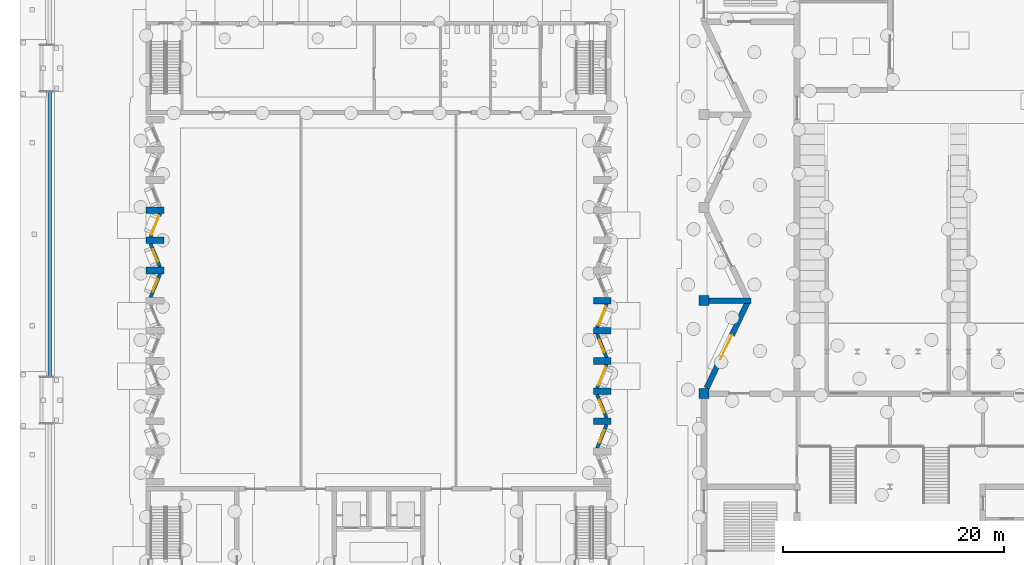
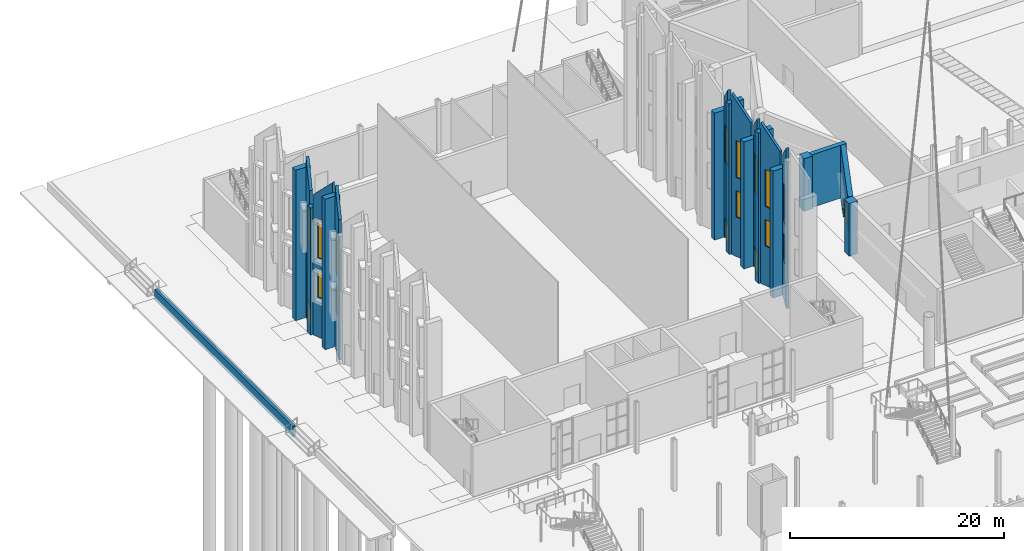
# One storey, part 63 of 108: 21 walls, 13 windows, 4 doors, 17 openings.
"""IFC4 building model written with IfcOpenShell, lengths in metres."""

from ifc_helpers import new_model, si_unit, direction, frame, frame_2d, origin, place, context, subcontext, project, spatial, polyline, rectangle, outline, extrude, material, layer, layer_set, type_object, element, fill, save


model = new_model("IFC4")

# Units and contexts
model_context = context("Model", 3, precision=1e-05, world=origin(), true_north=direction((0.0, 1.0)))
body_context = subcontext(model_context, "Body", "Model", "MODEL_VIEW")
ifc_project = project(units=[si_unit("LENGTHUNIT", "METRE"), si_unit("AREAUNIT", "SQUARE_METRE"), si_unit("VOLUMEUNIT", "CUBIC_METRE"), si_unit("PLANEANGLEUNIT", "RADIAN"), si_unit("MASSUNIT", "GRAM", prefix="KILO")], contexts=[model_context])

# Site, building, storey
site_placement = place(None, origin())
site = spatial("IfcSite", under=ifc_project, at=site_placement, CompositionType="ELEMENT")
building_placement = place(site_placement, origin())
building = spatial("IfcBuilding", under=site, at=building_placement, Name="Cresset Court Congress Hotel", CompositionType="ELEMENT")
storey_placement = place(building_placement, origin())
storey = spatial("IfcBuildingStorey", under=building, at=storey_placement, Name="L00", CompositionType="ELEMENT", Elevation=0.0)

# Wall, opening, door
ifc_material_1 = material(Name="Limestone-faced precast concrete C50", Category="masonry")
ifc_layer_1 = layer(ifc_material_1, 0.5)
ifc_layer_set_1 = layer_set([ifc_layer_1], Name="Hall perimeter wall 500")
wall_type_1 = type_object("IfcWallType", Name="Hall perimeter wall 500", PredefinedType="SOLIDWALL", material=ifc_layer_set_1)
wall_1_placement = place(storey_placement, frame((59.0380859375, 76.10009765625, 0.0), z_axis=(0.0, 0.0, 1.0), x_axis=(0.429945705131, 0.902854745039, 0.0)))
wall_1 = element("IfcWall", 1, at=wall_1_placement, inside=storey, type_object=wall_type_1, Name="Wall CW-WL00-4", PredefinedType="SOLIDWALL", context=body_context, shape_type="SweptSolid", body=[
    extrude(rectangle(XDim=8.59765625, YDim=0.5, at=frame_2d((4.298828125, 0.0))), origin(), (0.0, 0.0, 1.0), 6.0),
])
opening_1_placement = place(wall_1_placement, frame((2.898193359375, 0.0, 0.0)))
opening_1 = element("IfcOpeningElement", 2, at=opening_1_placement, cuts=wall_1, Name="Opening DC-00-30A", PredefinedType="OPENING", context=body_context, shape_type="SweptSolid", body=[
    extrude(rectangle(XDim=2.39990234375, YDim=2.10009765625, at=frame_2d((1.199951171875, 1.050048828125))), frame((0.0, 0.260009765625, 0.0), z_axis=(0.0, -1.0, 0.0), x_axis=(1.0, 0.0, 0.0)), (0.0, 0.0, 1.0), 0.52001953125),
])
ifc_material_2 = material(Name="Timber", Category="wood")
door_type_1 = type_object("IfcDoorType", Name="Double swing door 2400x2100 FD30 external", OperationType="DOUBLE_DOOR_DOUBLE_SWING", PredefinedType="DOOR", material=ifc_material_2)
door_1_placement = place(opening_1_placement, origin())
door_1 = element("IfcDoor", 3, at=door_1_placement, inside=storey, type_object=door_type_1, Name="Hall exit door W1", OperationType="DOUBLE_DOOR_DOUBLE_SWING", OverallHeight=2.10009765625, OverallWidth=2.39990234375, PredefinedType="DOOR", context=body_context, shape_type="SweptSolid", body=[
    extrude(rectangle(XDim=2.39990234375, YDim=2.10009765625, at=frame_2d((1.199951171875, 1.050048828125))), frame((0.0, 0.02490234375, 0.0), z_axis=(0.0, -1.0, 0.0), x_axis=(1.0, 0.0, 0.0)), (0.0, 0.0, 1.0), 0.050048828125),
])
fill(opening_1, door_1)

# Walls
wall_2_placement = place(storey_placement, frame((63.050048828125, 84.0, 0.0), z_axis=(0.0, 0.0, 1.0), x_axis=(-1.0, 0.0, 0.0)))
element("IfcWall", 4, at=wall_2_placement, inside=storey, type_object=wall_type_1, Name="Wall CW-WL00-R2", PredefinedType="SOLIDWALL", context=body_context, shape_type="SweptSolid", body=[
    extrude(rectangle(XDim=3.800048828125, YDim=0.5, at=frame_2d((1.89990234375, 0.0))), origin(), (0.0, 0.0, 1.0), 6.0),
])
ifc_material_3 = material(Name="Concrete C50", Category="concrete")
ifc_layer_2 = layer(ifc_material_3, 0.89990234375)
ifc_layer_set_2 = layer_set([ifc_layer_2], Name="Hall pilaster 900x900")
wall_type_2 = type_object("IfcWallType", Name="Hall pilaster 900x900", PredefinedType="SOLIDWALL", material=ifc_layer_set_2)
wall_3_placement = place(storey_placement, frame((58.800048828125, 84.449951171875, 0.0), z_axis=(0.0, 0.0, 1.0), x_axis=(0.0, -1.0, 0.0)))
element("IfcWall", 5, at=wall_3_placement, inside=storey, type_object=wall_type_2, Name="Pilaster P-W3", PredefinedType="SOLIDWALL", context=body_context, shape_type="SweptSolid", body=[
    extrude(rectangle(XDim=0.89990234375, YDim=0.89990234375, at=frame_2d((0.449951171875, 0.0))), origin(), (0.0, 0.0, 1.0), 6.0),
])
wall_4_placement = place(storey_placement, frame((58.800048828125, 76.050048828125, 0.0), z_axis=(0.0, 0.0, 1.0), x_axis=(0.0, -1.0, 0.0)))
element("IfcWall", 6, at=wall_4_placement, inside=storey, type_object=wall_type_2, Name="Pilaster P-W4", PredefinedType="SOLIDWALL", context=body_context, shape_type="SweptSolid", body=[
    extrude(rectangle(XDim=0.900146484375, YDim=0.89990234375, at=frame_2d((0.4501953125, 0.0))), origin(), (0.0, 0.0, 1.0), 6.0),
])
ifc_material_4 = material(Name="Concrete C35", Category="concrete")
ifc_layer_3 = layer(ifc_material_4, 0.300048828125)
ifc_layer_set_3 = layer_set([ifc_layer_3], Name="Plinth wall 300")
wall_type_3 = type_object("IfcWallType", Name="Plinth wall 300", PredefinedType="SOLIDWALL", material=ifc_layer_set_3)
wall_5_placement = place(storey_placement, frame((-0.300048828125, 77.10009765625, -1.199951171875), z_axis=(0.0, 0.0, 1.0), x_axis=(0.0, 1.0, 0.0)))
element("IfcWall", 7, at=wall_5_placement, inside=storey, type_object=wall_type_3, Name="S.wall.L00.PW02", PredefinedType="SOLIDWALL", context=body_context, shape_type="SweptSolid", body=[
    extrude(rectangle(XDim=25.7998046875, YDim=0.300048828125, at=frame_2d((12.89990234375, 0.0))), origin(), (0.0, 0.0, 1.0), 1.199951171875),
])

# Wall, openings, windows
ifc_material_5 = material(Name="Limestone-faced precast concrete C50", Category="masonry")
ifc_layer_4 = layer(ifc_material_5, 0.300048828125)
ifc_layer_set_4 = layer_set([ifc_layer_4], Name="Precast folded wall panel 300 C50")
wall_type_4 = type_object("IfcWallType", Name="Precast folded wall panel 300 C50", PredefinedType="SOLIDWALL", material=ifc_layer_set_4)
wall_6_placement = place(storey_placement, frame((8.800048828125, 84.300048828125, 0.0), z_axis=(0.0, 0.0, 1.0), x_axis=(0.37463916886, 0.927170692567, 0.0)))
wall_6 = element("IfcWall", 8, at=wall_6_placement, inside=storey, type_object=wall_type_4, Name="Folded wall panel W7", PredefinedType="SOLIDWALL", context=body_context, shape_type="SweptSolid", body=[
    extrude(outline(polyline([(0.0, 0.0), (2.2919921875, 0.0), (2.2919921875, 18.312255859375), (0.0, 15.972900390625), (0.0, 0.0)])), frame((0.0, 0.14990234375, 0.0), z_axis=(0.0, -1.0, 0.0), x_axis=(1.0, 0.0, 0.0)), (0.0, 0.0, 1.0), 0.300048828125),
])
opening_2_placement = place(wall_6_placement, frame((0.5458984375, 0.0, 4.5)))
opening_2 = element("IfcOpeningElement", 9, at=opening_2_placement, cuts=wall_6, Name="Opening ND-00-12", PredefinedType="OPENING", context=body_context, shape_type="SweptSolid", body=[
    extrude(rectangle(XDim=1.199951171875, YDim=3.0, at=frame_2d((0.60009765625, 1.5))), frame((0.0, 0.159912109375, 0.0), z_axis=(0.0, -1.0, 0.0), x_axis=(1.0, 0.0, 0.0)), (0.0, 0.0, 1.0), 0.320068359375),
])
opening_3_placement = place(wall_6_placement, frame((0.5458984375, 0.0, 9.0)))
opening_3 = element("IfcOpeningElement", 10, at=opening_3_placement, cuts=wall_6, Name="Opening ND-00-13", PredefinedType="OPENING", context=body_context, shape_type="SweptSolid", body=[
    extrude(rectangle(XDim=1.199951171875, YDim=4.199951171875, at=frame_2d((0.60009765625, 2.10009765625))), frame((0.0, 0.159912109375, 0.0), z_axis=(0.0, -1.0, 0.0), x_axis=(1.0, 0.0, 0.0)), (0.0, 0.0, 1.0), 0.320068359375),
])
ifc_material_6 = material(Name="Aluminium frame with double glazing", Category="aluminium")
window_type_1 = type_object("IfcWindowType", Name="Window 1200x3000", PartitioningType="TRIPLE_PANEL_VERTICAL", PredefinedType="WINDOW", material=ifc_material_6)
window_1_placement = place(opening_2_placement, origin())
window_1 = element("IfcWindow", 11, at=window_1_placement, inside=storey, type_object=window_type_1, Name="Window ND-00-12", OverallHeight=3.0, OverallWidth=1.199951171875, PartitioningType="TRIPLE_PANEL_VERTICAL", PredefinedType="WINDOW", context=body_context, shape_type="SweptSolid", body=[
    extrude(rectangle(XDim=1.199951171875, YDim=3.0, at=frame_2d((0.60009765625, 1.5))), frame((0.0, 0.030029296875, 0.0), z_axis=(0.0, -1.0, 0.0), x_axis=(1.0, 0.0, 0.0)), (0.0, 0.0, 1.0), 0.06005859375),
])
fill(opening_2, window_1)
ifc_material_7 = material(Name="Aluminium frame with double glazing", Category="aluminium")
window_type_2 = type_object("IfcWindowType", Name="Window 1200x4200", PartitioningType="TRIPLE_PANEL_VERTICAL", PredefinedType="WINDOW", material=ifc_material_7)
window_2_placement = place(opening_3_placement, origin())
window_2 = element("IfcWindow", 12, at=window_2_placement, inside=storey, type_object=window_type_2, Name="Window ND-00-13", OverallHeight=4.199951171875, OverallWidth=1.199951171875, PartitioningType="TRIPLE_PANEL_VERTICAL", PredefinedType="WINDOW", context=body_context, shape_type="SweptSolid", body=[
    extrude(rectangle(XDim=1.199951171875, YDim=4.199951171875, at=frame_2d((0.60009765625, 2.10009765625))), frame((0.0, 0.030029296875, 0.0), z_axis=(0.0, -1.0, 0.0), x_axis=(1.0, 0.0, 0.0)), (0.0, 0.0, 1.0), 0.06005859375),
])
fill(opening_3, window_2)

wall_7_placement = place(storey_placement, frame((9.65869140625, 87.02490234375, 0.0), z_axis=(0.0, 0.0, 1.0), x_axis=(-0.37463916886, 0.927170692567, 0.0)))
wall_7 = element("IfcWall", 13, at=wall_7_placement, inside=storey, type_object=wall_type_4, Name="Folded wall panel W8", PredefinedType="SOLIDWALL", context=body_context, shape_type="SweptSolid", body=[
    extrude(outline(polyline([(0.0, 0.0), (2.2919921875, 0.0), (2.2919921875, 15.972900390625), (0.0, 18.312255859375), (0.0, 0.0)])), frame((0.0, 0.14990234375, 0.0), z_axis=(0.0, -1.0, 0.0), x_axis=(1.0, 0.0, 0.0)), (0.0, 0.0, 1.0), 0.300048828125),
])
opening_4_placement = place(wall_7_placement, frame((0.5458984375, 0.0, 4.5)))
opening_4 = element("IfcOpeningElement", 14, at=opening_4_placement, cuts=wall_7, Name="Opening ND-00-14", PredefinedType="OPENING", context=body_context, shape_type="SweptSolid", body=[
    extrude(rectangle(XDim=1.199951171875, YDim=3.0, at=frame_2d((0.60009765625, 1.5))), frame((0.0, 0.159912109375, 0.0), z_axis=(0.0, -1.0, 0.0), x_axis=(1.0, 0.0, 0.0)), (0.0, 0.0, 1.0), 0.320068359375),
])
opening_5_placement = place(wall_7_placement, frame((0.5458984375, 0.0, 9.0)))
opening_5 = element("IfcOpeningElement", 15, at=opening_5_placement, cuts=wall_7, Name="Opening ND-00-15", PredefinedType="OPENING", context=body_context, shape_type="SweptSolid", body=[
    extrude(rectangle(XDim=1.199951171875, YDim=4.199951171875, at=frame_2d((0.60009765625, 2.10009765625))), frame((0.0, 0.159912109375, 0.0), z_axis=(0.0, -1.0, 0.0), x_axis=(1.0, 0.0, 0.0)), (0.0, 0.0, 1.0), 0.320068359375),
])
window_3_placement = place(opening_4_placement, origin())
window_3 = element("IfcWindow", 16, at=window_3_placement, inside=storey, type_object=window_type_1, Name="Window ND-00-14", OverallHeight=3.0, OverallWidth=1.199951171875, PartitioningType="TRIPLE_PANEL_VERTICAL", PredefinedType="WINDOW", context=body_context, shape_type="SweptSolid", body=[
    extrude(rectangle(XDim=1.199951171875, YDim=3.0, at=frame_2d((0.60009765625, 1.5))), frame((0.0, 0.030029296875, 0.0), z_axis=(0.0, -1.0, 0.0), x_axis=(1.0, 0.0, 0.0)), (0.0, 0.0, 1.0), 0.06005859375),
])
fill(opening_4, window_3)
window_4_placement = place(opening_5_placement, origin())
window_4 = element("IfcWindow", 17, at=window_4_placement, inside=storey, type_object=window_type_2, Name="Window ND-00-15", OverallHeight=4.199951171875, OverallWidth=1.199951171875, PartitioningType="TRIPLE_PANEL_VERTICAL", PredefinedType="WINDOW", context=body_context, shape_type="SweptSolid", body=[
    extrude(rectangle(XDim=1.199951171875, YDim=4.199951171875, at=frame_2d((0.60009765625, 2.10009765625))), frame((0.0, 0.030029296875, 0.0), z_axis=(0.0, -1.0, 0.0), x_axis=(1.0, 0.0, 0.0)), (0.0, 0.0, 1.0), 0.06005859375),
])
fill(opening_5, window_4)

# Wall, openings, door, window
wall_8_placement = place(storey_placement, frame((8.800048828125, 89.75, 0.0), z_axis=(0.0, 0.0, 1.0), x_axis=(0.37463916886, 0.927170692567, 0.0)))
wall_8 = element("IfcWall", 18, at=wall_8_placement, inside=storey, type_object=wall_type_4, Name="Folded wall panel W9", PredefinedType="SOLIDWALL", context=body_context, shape_type="SweptSolid", body=[
    extrude(outline(polyline([(0.0, 0.0), (2.2919921875, 0.0), (2.2919921875, 18.312255859375), (0.0, 15.972900390625), (0.0, 0.0)])), frame((0.0, 0.14990234375, 0.0), z_axis=(0.0, -1.0, 0.0), x_axis=(1.0, 0.0, 0.0)), (0.0, 0.0, 1.0), 0.300048828125),
])
opening_6_placement = place(wall_8_placement, frame((0.24609375, 0.0, 0.0)))
opening_6 = element("IfcOpeningElement", 19, at=opening_6_placement, cuts=wall_8, Name="Opening DD-00-10", PredefinedType="OPENING", context=body_context, shape_type="SweptSolid", body=[
    extrude(rectangle(XDim=1.800048828125, YDim=2.39990234375, at=frame_2d((0.89990234375, 1.199951171875))), frame((0.0, 0.159912109375, 0.0), z_axis=(0.0, -1.0, 0.0), x_axis=(1.0, 0.0, 0.0)), (0.0, 0.0, 1.0), 0.320068359375),
])
opening_7_placement = place(wall_8_placement, frame((0.5458984375, 0.0, 9.0)))
opening_7 = element("IfcOpeningElement", 20, at=opening_7_placement, cuts=wall_8, Name="Opening ND-00-16", PredefinedType="OPENING", context=body_context, shape_type="SweptSolid", body=[
    extrude(rectangle(XDim=1.199951171875, YDim=4.199951171875, at=frame_2d((0.60009765625, 2.10009765625))), frame((0.0, 0.159912109375, 0.0), z_axis=(0.0, -1.0, 0.0), x_axis=(1.0, 0.0, 0.0)), (0.0, 0.0, 1.0), 0.320068359375),
])
ifc_material_8 = material(Name="Timber door leaf", Category="wood")
door_type_2 = type_object("IfcDoorType", Name="Hall exit double door 1800x2400", OperationType="DOUBLE_DOOR_SINGLE_SWING", PredefinedType="DOOR", material=ifc_material_8)
door_2_placement = place(opening_6_placement, origin())
door_2 = element("IfcDoor", 21, at=door_2_placement, inside=storey, type_object=door_type_2, Name="Hall exit double door DD-00-10", OperationType="DOUBLE_DOOR_SINGLE_SWING", OverallHeight=2.39990234375, OverallWidth=1.800048828125, PredefinedType="DOOR", context=body_context, shape_type="SweptSolid", body=[
    extrude(rectangle(XDim=1.800048828125, YDim=2.39990234375, at=frame_2d((0.89990234375, 1.199951171875))), frame((0.0, 0.02490234375, 0.0), z_axis=(0.0, -1.0, 0.0), x_axis=(1.0, 0.0, 0.0)), (0.0, 0.0, 1.0), 0.050048828125),
])
fill(opening_6, door_2)
window_5_placement = place(opening_7_placement, origin())
window_5 = element("IfcWindow", 22, at=window_5_placement, inside=storey, type_object=window_type_2, Name="Window ND-00-16", OverallHeight=4.199951171875, OverallWidth=1.199951171875, PartitioningType="TRIPLE_PANEL_VERTICAL", PredefinedType="WINDOW", context=body_context, shape_type="SweptSolid", body=[
    extrude(rectangle(XDim=1.199951171875, YDim=4.199951171875, at=frame_2d((0.60009765625, 2.10009765625))), frame((0.0, 0.030029296875, 0.0), z_axis=(0.0, -1.0, 0.0), x_axis=(1.0, 0.0, 0.0)), (0.0, 0.0, 1.0), 0.06005859375),
])
fill(opening_7, window_5)

# Wall, openings, windows
wall_9_placement = place(storey_placement, frame((49.141357421875, 70.675048828125, 0.0), z_axis=(0.0, 0.0, 1.0), x_axis=(0.37463916886, 0.927170692567, 0.0)))
wall_9 = element("IfcWall", 23, at=wall_9_placement, inside=storey, type_object=wall_type_4, Name="Folded wall panel E2", PredefinedType="SOLIDWALL", context=body_context, shape_type="SweptSolid", body=[
    extrude(outline(polyline([(0.0, 0.0), (2.2919921875, 0.0), (2.2919921875, 15.972900390625), (0.0, 18.312255859375), (0.0, 0.0)])), frame((0.0, 0.14990234375, 0.0), z_axis=(0.0, -1.0, 0.0), x_axis=(1.0, 0.0, 0.0)), (0.0, 0.0, 1.0), 0.300048828125),
])
opening_8_placement = place(wall_9_placement, frame((0.5458984375, 0.0, 4.5)))
opening_8 = element("IfcOpeningElement", 24, at=opening_8_placement, cuts=wall_9, Name="Opening ND-00-25", PredefinedType="OPENING", context=body_context, shape_type="SweptSolid", body=[
    extrude(rectangle(XDim=1.199951171875, YDim=3.0, at=frame_2d((0.60009765625, 1.5))), frame((0.0, 0.159912109375, 0.0), z_axis=(0.0, -1.0, 0.0), x_axis=(1.0, 0.0, 0.0)), (0.0, 0.0, 1.0), 0.320068359375),
])
opening_9_placement = place(wall_9_placement, frame((0.5458984375, 0.0, 9.0)))
opening_9 = element("IfcOpeningElement", 25, at=opening_9_placement, cuts=wall_9, Name="Opening ND-00-26", PredefinedType="OPENING", context=body_context, shape_type="SweptSolid", body=[
    extrude(rectangle(XDim=1.199951171875, YDim=4.199951171875, at=frame_2d((0.60009765625, 2.10009765625))), frame((0.0, 0.159912109375, 0.0), z_axis=(0.0, -1.0, 0.0), x_axis=(1.0, 0.0, 0.0)), (0.0, 0.0, 1.0), 0.320068359375),
])
window_6_placement = place(opening_8_placement, origin())
window_6 = element("IfcWindow", 26, at=window_6_placement, inside=storey, type_object=window_type_1, Name="Window ND-00-25", OverallHeight=3.0, OverallWidth=1.199951171875, PartitioningType="TRIPLE_PANEL_VERTICAL", PredefinedType="WINDOW", context=body_context, shape_type="SweptSolid", body=[
    extrude(rectangle(XDim=1.199951171875, YDim=3.0, at=frame_2d((0.60009765625, 1.5))), frame((0.0, 0.030029296875, 0.0), z_axis=(0.0, -1.0, 0.0), x_axis=(1.0, 0.0, 0.0)), (0.0, 0.0, 1.0), 0.06005859375),
])
fill(opening_8, window_6)
window_7_placement = place(opening_9_placement, origin())
window_7 = element("IfcWindow", 27, at=window_7_placement, inside=storey, type_object=window_type_2, Name="Window ND-00-26", OverallHeight=4.199951171875, OverallWidth=1.199951171875, PartitioningType="TRIPLE_PANEL_VERTICAL", PredefinedType="WINDOW", context=body_context, shape_type="SweptSolid", body=[
    extrude(rectangle(XDim=1.199951171875, YDim=4.199951171875, at=frame_2d((0.60009765625, 2.10009765625))), frame((0.0, 0.030029296875, 0.0), z_axis=(0.0, -1.0, 0.0), x_axis=(1.0, 0.0, 0.0)), (0.0, 0.0, 1.0), 0.06005859375),
])
fill(opening_9, window_7)

wall_10_placement = place(storey_placement, frame((50.0, 73.39990234375, 0.0), z_axis=(0.0, 0.0, 1.0), x_axis=(-0.37463916886, 0.927170692567, 0.0)))
wall_10 = element("IfcWall", 28, at=wall_10_placement, inside=storey, type_object=wall_type_4, Name="Folded wall panel E3", PredefinedType="SOLIDWALL", context=body_context, shape_type="SweptSolid", body=[
    extrude(outline(polyline([(0.0, 0.0), (2.2919921875, 0.0), (2.2919921875, 18.312255859375), (0.0, 15.972900390625), (0.0, 0.0)])), frame((0.0, 0.14990234375, 0.0), z_axis=(0.0, -1.0, 0.0), x_axis=(1.0, 0.0, 0.0)), (0.0, 0.0, 1.0), 0.300048828125),
])
opening_10_placement = place(wall_10_placement, frame((0.5458984375, 0.0, 4.5)))
opening_10 = element("IfcOpeningElement", 29, at=opening_10_placement, cuts=wall_10, Name="Opening ND-00-27", PredefinedType="OPENING", context=body_context, shape_type="SweptSolid", body=[
    extrude(rectangle(XDim=1.199951171875, YDim=3.0, at=frame_2d((0.60009765625, 1.5))), frame((0.0, 0.159912109375, 0.0), z_axis=(0.0, -1.0, 0.0), x_axis=(1.0, 0.0, 0.0)), (0.0, 0.0, 1.0), 0.320068359375),
])
opening_11_placement = place(wall_10_placement, frame((0.5458984375, 0.0, 9.0)))
opening_11 = element("IfcOpeningElement", 30, at=opening_11_placement, cuts=wall_10, Name="Opening ND-00-28", PredefinedType="OPENING", context=body_context, shape_type="SweptSolid", body=[
    extrude(rectangle(XDim=1.199951171875, YDim=4.199951171875, at=frame_2d((0.60009765625, 2.10009765625))), frame((0.0, 0.159912109375, 0.0), z_axis=(0.0, -1.0, 0.0), x_axis=(1.0, 0.0, 0.0)), (0.0, 0.0, 1.0), 0.320068359375),
])
window_8_placement = place(opening_10_placement, origin())
window_8 = element("IfcWindow", 31, at=window_8_placement, inside=storey, type_object=window_type_1, Name="Window ND-00-27", OverallHeight=3.0, OverallWidth=1.199951171875, PartitioningType="TRIPLE_PANEL_VERTICAL", PredefinedType="WINDOW", context=body_context, shape_type="SweptSolid", body=[
    extrude(rectangle(XDim=1.199951171875, YDim=3.0, at=frame_2d((0.60009765625, 1.5))), frame((0.0, 0.030029296875, 0.0), z_axis=(0.0, -1.0, 0.0), x_axis=(1.0, 0.0, 0.0)), (0.0, 0.0, 1.0), 0.06005859375),
])
fill(opening_10, window_8)
window_9_placement = place(opening_11_placement, origin())
window_9 = element("IfcWindow", 32, at=window_9_placement, inside=storey, type_object=window_type_2, Name="Window ND-00-28", OverallHeight=4.199951171875, OverallWidth=1.199951171875, PartitioningType="TRIPLE_PANEL_VERTICAL", PredefinedType="WINDOW", context=body_context, shape_type="SweptSolid", body=[
    extrude(rectangle(XDim=1.199951171875, YDim=4.199951171875, at=frame_2d((0.60009765625, 2.10009765625))), frame((0.0, 0.030029296875, 0.0), z_axis=(0.0, -1.0, 0.0), x_axis=(1.0, 0.0, 0.0)), (0.0, 0.0, 1.0), 0.06005859375),
])
fill(opening_11, window_9)

# Wall, openings, door, window
wall_11_placement = place(storey_placement, frame((49.141357421875, 76.125, 0.0), z_axis=(0.0, 0.0, 1.0), x_axis=(0.37463916886, 0.927170692567, 0.0)))
wall_11 = element("IfcWall", 33, at=wall_11_placement, inside=storey, type_object=wall_type_4, Name="Folded wall panel E4", PredefinedType="SOLIDWALL", context=body_context, shape_type="SweptSolid", body=[
    extrude(outline(polyline([(0.0, 0.0), (2.2919921875, 0.0), (2.2919921875, 15.972900390625), (0.0, 18.312255859375), (0.0, 0.0)])), frame((0.0, 0.14990234375, 0.0), z_axis=(0.0, -1.0, 0.0), x_axis=(1.0, 0.0, 0.0)), (0.0, 0.0, 1.0), 0.300048828125),
])
opening_12_placement = place(wall_11_placement, frame((0.24609375, 0.0, 0.0)))
opening_12 = element("IfcOpeningElement", 34, at=opening_12_placement, cuts=wall_11, Name="Opening DD-00-11", PredefinedType="OPENING", context=body_context, shape_type="SweptSolid", body=[
    extrude(rectangle(XDim=1.800048828125, YDim=2.39990234375, at=frame_2d((0.89990234375, 1.199951171875))), frame((0.0, 0.159912109375, 0.0), z_axis=(0.0, -1.0, 0.0), x_axis=(1.0, 0.0, 0.0)), (0.0, 0.0, 1.0), 0.320068359375),
])
opening_13_placement = place(wall_11_placement, frame((0.5458984375, 0.0, 9.0)))
opening_13 = element("IfcOpeningElement", 35, at=opening_13_placement, cuts=wall_11, Name="Opening ND-00-29", PredefinedType="OPENING", context=body_context, shape_type="SweptSolid", body=[
    extrude(rectangle(XDim=1.199951171875, YDim=4.199951171875, at=frame_2d((0.60009765625, 2.10009765625))), frame((0.0, 0.159912109375, 0.0), z_axis=(0.0, -1.0, 0.0), x_axis=(1.0, 0.0, 0.0)), (0.0, 0.0, 1.0), 0.320068359375),
])
door_3_placement = place(opening_12_placement, origin())
door_3 = element("IfcDoor", 36, at=door_3_placement, inside=storey, type_object=door_type_2, Name="Hall exit double door DD-00-11", OperationType="DOUBLE_DOOR_SINGLE_SWING", OverallHeight=2.39990234375, OverallWidth=1.800048828125, PredefinedType="DOOR", context=body_context, shape_type="SweptSolid", body=[
    extrude(rectangle(XDim=1.800048828125, YDim=2.39990234375, at=frame_2d((0.89990234375, 1.199951171875))), frame((0.0, 0.02490234375, 0.0), z_axis=(0.0, -1.0, 0.0), x_axis=(1.0, 0.0, 0.0)), (0.0, 0.0, 1.0), 0.050048828125),
])
fill(opening_12, door_3)
window_10_placement = place(opening_13_placement, origin())
window_10 = element("IfcWindow", 37, at=window_10_placement, inside=storey, type_object=window_type_2, Name="Window ND-00-29", OverallHeight=4.199951171875, OverallWidth=1.199951171875, PartitioningType="TRIPLE_PANEL_VERTICAL", PredefinedType="WINDOW", context=body_context, shape_type="SweptSolid", body=[
    extrude(rectangle(XDim=1.199951171875, YDim=4.199951171875, at=frame_2d((0.60009765625, 2.10009765625))), frame((0.0, 0.030029296875, 0.0), z_axis=(0.0, -1.0, 0.0), x_axis=(1.0, 0.0, 0.0)), (0.0, 0.0, 1.0), 0.06005859375),
])
fill(opening_13, window_10)

# Wall, openings, windows
wall_12_placement = place(storey_placement, frame((50.0, 78.85009765625, 0.0), z_axis=(0.0, 0.0, 1.0), x_axis=(-0.37463916886, 0.927170692567, 0.0)))
wall_12 = element("IfcWall", 38, at=wall_12_placement, inside=storey, type_object=wall_type_4, Name="Folded wall panel E5", PredefinedType="SOLIDWALL", context=body_context, shape_type="SweptSolid", body=[
    extrude(outline(polyline([(0.0, 0.0), (2.2919921875, 0.0), (2.2919921875, 18.312255859375), (0.0, 15.972900390625), (0.0, 0.0)])), frame((0.0, 0.14990234375, 0.0), z_axis=(0.0, -1.0, 0.0), x_axis=(1.0, 0.0, 0.0)), (0.0, 0.0, 1.0), 0.300048828125),
])
opening_14_placement = place(wall_12_placement, frame((0.5458984375, 0.0, 4.5)))
opening_14 = element("IfcOpeningElement", 39, at=opening_14_placement, cuts=wall_12, Name="Opening ND-00-30", PredefinedType="OPENING", context=body_context, shape_type="SweptSolid", body=[
    extrude(rectangle(XDim=1.199951171875, YDim=3.0, at=frame_2d((0.60009765625, 1.5))), frame((0.0, 0.159912109375, 0.0), z_axis=(0.0, -1.0, 0.0), x_axis=(1.0, 0.0, 0.0)), (0.0, 0.0, 1.0), 0.320068359375),
])
opening_15_placement = place(wall_12_placement, frame((0.5458984375, 0.0, 9.0)))
opening_15 = element("IfcOpeningElement", 40, at=opening_15_placement, cuts=wall_12, Name="Opening ND-00-31", PredefinedType="OPENING", context=body_context, shape_type="SweptSolid", body=[
    extrude(rectangle(XDim=1.199951171875, YDim=4.199951171875, at=frame_2d((0.60009765625, 2.10009765625))), frame((0.0, 0.159912109375, 0.0), z_axis=(0.0, -1.0, 0.0), x_axis=(1.0, 0.0, 0.0)), (0.0, 0.0, 1.0), 0.320068359375),
])
window_11_placement = place(opening_14_placement, origin())
window_11 = element("IfcWindow", 41, at=window_11_placement, inside=storey, type_object=window_type_1, Name="Window ND-00-30", OverallHeight=3.0, OverallWidth=1.199951171875, PartitioningType="TRIPLE_PANEL_VERTICAL", PredefinedType="WINDOW", context=body_context, shape_type="SweptSolid", body=[
    extrude(rectangle(XDim=1.199951171875, YDim=3.0, at=frame_2d((0.60009765625, 1.5))), frame((0.0, 0.030029296875, 0.0), z_axis=(0.0, -1.0, 0.0), x_axis=(1.0, 0.0, 0.0)), (0.0, 0.0, 1.0), 0.06005859375),
])
fill(opening_14, window_11)
window_12_placement = place(opening_15_placement, origin())
window_12 = element("IfcWindow", 42, at=window_12_placement, inside=storey, type_object=window_type_2, Name="Window ND-00-31", OverallHeight=4.199951171875, OverallWidth=1.199951171875, PartitioningType="TRIPLE_PANEL_VERTICAL", PredefinedType="WINDOW", context=body_context, shape_type="SweptSolid", body=[
    extrude(rectangle(XDim=1.199951171875, YDim=4.199951171875, at=frame_2d((0.60009765625, 2.10009765625))), frame((0.0, 0.030029296875, 0.0), z_axis=(0.0, -1.0, 0.0), x_axis=(1.0, 0.0, 0.0)), (0.0, 0.0, 1.0), 0.06005859375),
])
fill(opening_15, window_12)

# Wall, openings, door, window
wall_13_placement = place(storey_placement, frame((49.141357421875, 81.574951171875, 0.0), z_axis=(0.0, 0.0, 1.0), x_axis=(0.37463916886, 0.927170692567, 0.0)))
wall_13 = element("IfcWall", 43, at=wall_13_placement, inside=storey, type_object=wall_type_4, Name="Folded wall panel E6", PredefinedType="SOLIDWALL", context=body_context, shape_type="SweptSolid", body=[
    extrude(outline(polyline([(0.0, 0.0), (2.2919921875, 0.0), (2.2919921875, 15.972900390625), (0.0, 18.312255859375), (0.0, 0.0)])), frame((0.0, 0.14990234375, 0.0), z_axis=(0.0, -1.0, 0.0), x_axis=(1.0, 0.0, 0.0)), (0.0, 0.0, 1.0), 0.300048828125),
])
opening_16_placement = place(wall_13_placement, frame((0.24609375, 0.0, 0.0)))
opening_16 = element("IfcOpeningElement", 44, at=opening_16_placement, cuts=wall_13, Name="Opening DD-00-12", PredefinedType="OPENING", context=body_context, shape_type="SweptSolid", body=[
    extrude(rectangle(XDim=1.800048828125, YDim=2.39990234375, at=frame_2d((0.89990234375, 1.199951171875))), frame((0.0, 0.159912109375, 0.0), z_axis=(0.0, -1.0, 0.0), x_axis=(1.0, 0.0, 0.0)), (0.0, 0.0, 1.0), 0.320068359375),
])
opening_17_placement = place(wall_13_placement, frame((0.5458984375, 0.0, 9.0)))
opening_17 = element("IfcOpeningElement", 45, at=opening_17_placement, cuts=wall_13, Name="Opening ND-00-32", PredefinedType="OPENING", context=body_context, shape_type="SweptSolid", body=[
    extrude(rectangle(XDim=1.199951171875, YDim=4.199951171875, at=frame_2d((0.60009765625, 2.10009765625))), frame((0.0, 0.159912109375, 0.0), z_axis=(0.0, -1.0, 0.0), x_axis=(1.0, 0.0, 0.0)), (0.0, 0.0, 1.0), 0.320068359375),
])
door_4_placement = place(opening_16_placement, origin())
door_4 = element("IfcDoor", 46, at=door_4_placement, inside=storey, type_object=door_type_2, Name="Hall exit double door DD-00-12", OperationType="DOUBLE_DOOR_SINGLE_SWING", OverallHeight=2.39990234375, OverallWidth=1.800048828125, PredefinedType="DOOR", context=body_context, shape_type="SweptSolid", body=[
    extrude(rectangle(XDim=1.800048828125, YDim=2.39990234375, at=frame_2d((0.89990234375, 1.199951171875))), frame((0.0, 0.02490234375, 0.0), z_axis=(0.0, -1.0, 0.0), x_axis=(1.0, 0.0, 0.0)), (0.0, 0.0, 1.0), 0.050048828125),
])
fill(opening_16, door_4)
window_13_placement = place(opening_17_placement, origin())
window_13 = element("IfcWindow", 47, at=window_13_placement, inside=storey, type_object=window_type_2, Name="Window ND-00-32", OverallHeight=4.199951171875, OverallWidth=1.199951171875, PartitioningType="TRIPLE_PANEL_VERTICAL", PredefinedType="WINDOW", context=body_context, shape_type="SweptSolid", body=[
    extrude(rectangle(XDim=1.199951171875, YDim=4.199951171875, at=frame_2d((0.60009765625, 2.10009765625))), frame((0.0, 0.030029296875, 0.0), z_axis=(0.0, -1.0, 0.0), x_axis=(1.0, 0.0, 0.0)), (0.0, 0.0, 1.0), 0.06005859375),
])
fill(opening_17, window_13)

# Walls
ifc_material_9 = material(Name="Concrete C40", Category="concrete")
ifc_layer_5 = layer(ifc_material_9, 0.60009765625)
ifc_layer_set_5 = layer_set([ifc_layer_5], Name="RC buttress wall 600 C40")
wall_type_5 = type_object("IfcWallType", Name="RC buttress wall 600 C40", PredefinedType="SOLIDWALL", material=ifc_layer_set_5)
wall_14_placement = place(storey_placement, frame((8.39990234375, 86.72509765625, 0.0), z_axis=(0.0, 0.0, 1.0), x_axis=(1.0, 0.0, 0.0)))
element("IfcWall", 48, at=wall_14_placement, inside=storey, type_object=wall_type_5, Name="Buttress W8", PredefinedType="SOLIDWALL", context=body_context, shape_type="SweptSolid", body=[
    extrude(rectangle(XDim=1.60009765625, YDim=0.60009765625, at=frame_2d((0.800048828125, 0.0))), origin(), (0.0, 0.0, 1.0), 17.136474609375),
])
wall_15_placement = place(storey_placement, frame((8.39990234375, 89.449951171875, 0.0), z_axis=(0.0, 0.0, 1.0), x_axis=(1.0, 0.0, 0.0)))
element("IfcWall", 49, at=wall_15_placement, inside=storey, type_object=wall_type_5, Name="Buttress W9", PredefinedType="SOLIDWALL", context=body_context, shape_type="SweptSolid", body=[
    extrude(rectangle(XDim=1.60009765625, YDim=0.60009765625, at=frame_2d((0.800048828125, 0.0))), origin(), (0.0, 0.0, 1.0), 14.466796875),
])
wall_16_placement = place(storey_placement, frame((8.39990234375, 92.175048828125, 0.0), z_axis=(0.0, 0.0, 1.0), x_axis=(1.0, 0.0, 0.0)))
element("IfcWall", 50, at=wall_16_placement, inside=storey, type_object=wall_type_5, Name="Buttress W10", PredefinedType="SOLIDWALL", context=body_context, shape_type="SweptSolid", body=[
    extrude(rectangle(XDim=1.60009765625, YDim=0.60009765625, at=frame_2d((0.800048828125, 0.0))), origin(), (0.0, 0.0, 1.0), 17.136474609375),
])
wall_17_placement = place(storey_placement, frame((50.39990234375, 73.10009765625, 0.0), z_axis=(0.0, 0.0, 1.0), x_axis=(-1.0, 0.0, 0.0)))
element("IfcWall", 51, at=wall_17_placement, inside=storey, type_object=wall_type_5, Name="Buttress E3", PredefinedType="SOLIDWALL", context=body_context, shape_type="SweptSolid", body=[
    extrude(rectangle(XDim=1.599853515625, YDim=0.60009765625, at=frame_2d((0.7998046875, 0.0))), origin(), (0.0, 0.0, 1.0), 14.466796875),
])
wall_18_placement = place(storey_placement, frame((50.39990234375, 75.824951171875, 0.0), z_axis=(0.0, 0.0, 1.0), x_axis=(-1.0, 0.0, 0.0)))
element("IfcWall", 52, at=wall_18_placement, inside=storey, type_object=wall_type_5, Name="Buttress E4", PredefinedType="SOLIDWALL", context=body_context, shape_type="SweptSolid", body=[
    extrude(rectangle(XDim=1.599853515625, YDim=0.60009765625, at=frame_2d((0.7998046875, 0.0))), origin(), (0.0, 0.0, 1.0), 17.136474609375),
])
wall_19_placement = place(storey_placement, frame((50.39990234375, 78.550048828125, 0.0), z_axis=(0.0, 0.0, 1.0), x_axis=(-1.0, 0.0, 0.0)))
element("IfcWall", 53, at=wall_19_placement, inside=storey, type_object=wall_type_5, Name="Buttress E5", PredefinedType="SOLIDWALL", context=body_context, shape_type="SweptSolid", body=[
    extrude(rectangle(XDim=1.599853515625, YDim=0.60009765625, at=frame_2d((0.7998046875, 0.0))), origin(), (0.0, 0.0, 1.0), 14.466796875),
])
wall_20_placement = place(storey_placement, frame((50.39990234375, 81.27490234375, 0.0), z_axis=(0.0, 0.0, 1.0), x_axis=(-1.0, 0.0, 0.0)))
element("IfcWall", 54, at=wall_20_placement, inside=storey, type_object=wall_type_5, Name="Buttress E6", PredefinedType="SOLIDWALL", context=body_context, shape_type="SweptSolid", body=[
    extrude(rectangle(XDim=1.599853515625, YDim=0.60009765625, at=frame_2d((0.7998046875, 0.0))), origin(), (0.0, 0.0, 1.0), 17.136474609375),
])
wall_21_placement = place(storey_placement, frame((50.39990234375, 84.0, 0.0), z_axis=(0.0, 0.0, 1.0), x_axis=(-1.0, 0.0, 0.0)))
element("IfcWall", 55, at=wall_21_placement, inside=storey, type_object=wall_type_5, Name="Buttress E7", PredefinedType="SOLIDWALL", context=body_context, shape_type="SweptSolid", body=[
    extrude(rectangle(XDim=1.599853515625, YDim=0.60009765625, at=frame_2d((0.7998046875, 0.0))), origin(), (0.0, 0.0, 1.0), 14.466796875),
])

save(model, "model.ifc")
